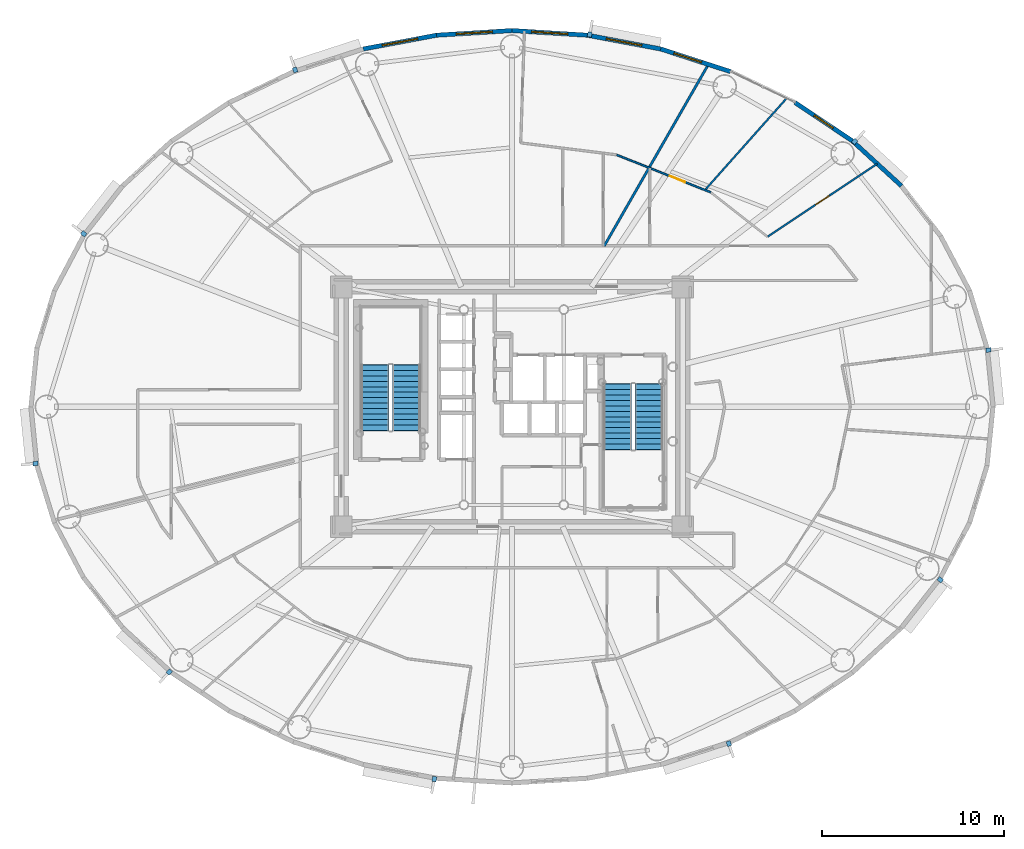
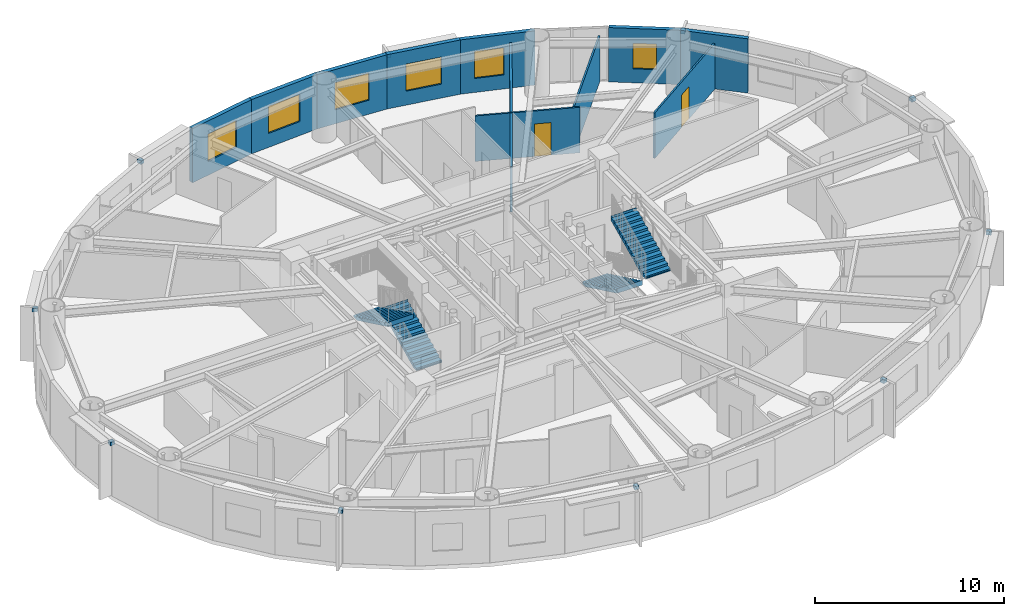
# One storey, part 11 of 17: 11 walls, 10 discrete accessories, 6 windows, 4 stair flights, 2 doors, 8 openings, 2 elements without a shape of their own.
"""IFC4 building model written with IfcOpenShell, lengths in metres."""

from ifc_helpers import new_model, si_unit, direction, frame, frame_2d, origin, origin_2d, place, context, subcontext, project, spatial, polyline, rectangle, outline, extrude, source, transform, mapped, material, layer, layer_set, type_object, element, fill, aggregate, save


model = new_model("IFC4")

# Units and contexts
model_context = context("Model", 3, precision=1e-05, world=origin(), true_north=direction((0.0, 1.0)))
body_context = subcontext(model_context, "Body", "Model", "MODEL_VIEW")
ifc_project = project(units=[si_unit("LENGTHUNIT", "METRE"), si_unit("AREAUNIT", "SQUARE_METRE"), si_unit("VOLUMEUNIT", "CUBIC_METRE"), si_unit("PLANEANGLEUNIT", "RADIAN"), si_unit("MASSUNIT", "GRAM", prefix="KILO")], contexts=[model_context])

# Site, building, storey
site_placement = place(None, origin())
site = spatial("IfcSite", under=ifc_project, at=site_placement, CompositionType="ELEMENT")
building_placement = place(site_placement, origin())
building = spatial("IfcBuilding", under=site, at=building_placement, Name="Linh Dai School and Residence Tower", CompositionType="ELEMENT")
storey_placement = place(building_placement, frame((0.0, 0.0, 197.39990234375)))
storey = spatial("IfcBuildingStorey", under=building, at=storey_placement, Name="L48", CompositionType="ELEMENT", Elevation=197.39990234375)

# Wall
ifc_material_1 = material(Name="Precast Concrete B45 (C35/45)", Category="concrete")
ifc_layer_1 = layer(ifc_material_1, 0.239990234375)
ifc_layer_set_1 = layer_set([ifc_layer_1], Name="Precast Concrete B45 (C35/45)")
wall_type_1 = type_object("IfcWallType", Name="EW-TC-240", PredefinedType="SOLIDWALL", material=ifc_layer_set_1)
wall_1_placement = place(storey_placement, frame((54.73193359375, 41.630615234375, 0.0), z_axis=(0.0, 0.0, 1.0), x_axis=(0.737076565834, -0.675809245349, 0.0)))
element("IfcWall", 1, at=wall_1_placement, inside=storey, type_object=wall_type_1, Name="L48 Terracotta Exterior Wall 05", PredefinedType="SOLIDWALL", context=body_context, shape_type="SweptSolid", body=[
    extrude(rectangle(XDim=3.658203125, YDim=0.239990234375, at=frame_2d((1.8291015625, 0.0))), origin(), (0.0, 0.0, 1.0), 3.5),
])

# Wall, opening, window
wall_2_placement = place(storey_placement, frame((51.5732421875, 43.7431640625, 0.0), z_axis=(0.0, 0.0, 1.0), x_axis=(0.831228998277, -0.555930168657, 0.0)))
wall_2 = element("IfcWall", 2, at=wall_2_placement, inside=storey, type_object=wall_type_1, Name="L48 Terracotta Exterior Wall 06", PredefinedType="SOLIDWALL", context=body_context, shape_type="SweptSolid", body=[
    extrude(rectangle(XDim=3.800048828125, YDim=0.239990234375, at=frame_2d((1.89990234375, 0.0))), origin(), (0.0, 0.0, 1.0), 3.5),
])
opening_1_placement = place(wall_2_placement, frame((1.27490234375, 0.0, 0.89990234375)))
opening_1 = element("IfcOpeningElement", 3, at=opening_1_placement, cuts=wall_2, Name="Opening W3", PredefinedType="OPENING", context=body_context, shape_type="SweptSolid", body=[
    extrude(rectangle(XDim=1.25, YDim=1.64990234375, at=origin_2d()), frame((0.625, 0.1298828125, 0.824951171875), z_axis=(0.0, -1.0, 0.0), x_axis=(1.0, 0.0, 0.0)), (0.0, 0.0, 1.0), 0.260009765625),
])
ifc_material_2 = material(Name="Double Low-E Insulated Glazing", Category="glass")
window_type_1 = type_object("IfcWindowType", Name="WN-RES-1250x1650", PartitioningType="SINGLE_PANEL", PredefinedType="WINDOW", material=ifc_material_2)
shared_shape_1 = source(origin(), body_context, "Body", "SweptSolid", [
    extrude(rectangle(XDim=1.25, YDim=1.64990234375, at=origin_2d()), frame((0.625, 0.030029296875, 0.824951171875), z_axis=(0.0, -1.0, 0.0), x_axis=(1.0, 0.0, 0.0)), (0.0, 0.0, 1.0), 0.06005859375),
])
window_1_placement = place(opening_1_placement, origin())
window_1 = element("IfcWindow", 4, at=window_1_placement, inside=storey, type_object=window_type_1, Name="L48 Dwelling Window U4802-BD3", OverallHeight=1.64990234375, OverallWidth=1.25, PartitioningType="SINGLE_PANEL", PredefinedType="WINDOW", context=body_context, shape_type="MappedRepresentation", body=[
    mapped(shared_shape_1, transform((0.0, 0.0, 0.0), x_axis=(1.0, 0.0, 0.0), y_axis=(0.0, 1.0, 0.0), z_axis=(0.0, 0.0, 1.0), scale=1.0)),
])
fill(opening_1, window_1)

wall_3_placement = place(storey_placement, frame((44.18896484375, 46.689453125, 0.0), z_axis=(0.0, 0.0, 1.0), x_axis=(0.951209870236, -0.30854462038, 0.0)))
wall_3 = element("IfcWall", 5, at=wall_3_placement, inside=storey, type_object=wall_type_1, Name="L48 Terracotta Exterior Wall 08", PredefinedType="SOLIDWALL", context=body_context, shape_type="SweptSolid", body=[
    extrude(rectangle(XDim=4.037841796875, YDim=0.239990234375, at=frame_2d((2.01904296875, 0.0))), origin(), (0.0, 0.0, 1.0), 3.5),
])
opening_2_placement = place(wall_3_placement, frame((0.7568359375, 0.0, 0.89990234375)))
opening_2 = element("IfcOpeningElement", 6, at=opening_2_placement, cuts=wall_3, Name="Opening W2", PredefinedType="OPENING", context=body_context, shape_type="SweptSolid", body=[
    extrude(rectangle(XDim=1.60009765625, YDim=1.75, at=origin_2d()), frame((0.800048828125, 0.1298828125, 0.875), z_axis=(0.0, -1.0, 0.0), x_axis=(1.0, 0.0, 0.0)), (0.0, 0.0, 1.0), 0.260009765625),
])
window_type_2 = type_object("IfcWindowType", Name="WN-RES-1600x1750", PartitioningType="DOUBLE_PANEL_VERTICAL", PredefinedType="WINDOW", material=ifc_material_2)
shared_shape_2 = source(origin(), body_context, "Body", "SweptSolid", [
    extrude(rectangle(XDim=1.60009765625, YDim=1.75, at=origin_2d()), frame((0.800048828125, 0.030029296875, 0.875), z_axis=(0.0, -1.0, 0.0), x_axis=(1.0, 0.0, 0.0)), (0.0, 0.0, 1.0), 0.06005859375),
])
window_2_placement = place(opening_2_placement, origin())
window_2 = element("IfcWindow", 7, at=window_2_placement, inside=storey, type_object=window_type_2, Name="L48 Exterior Window 08.1", OverallHeight=1.75, OverallWidth=1.60009765625, PartitioningType="DOUBLE_PANEL_VERTICAL", PredefinedType="WINDOW", context=body_context, shape_type="MappedRepresentation", body=[
    mapped(shared_shape_2, transform((0.0, 0.0, 0.0), x_axis=(1.0, 0.0, 0.0), y_axis=(0.0, 1.0, 0.0), z_axis=(0.0, 0.0, 1.0), scale=1.0)),
])
fill(opening_2, window_2)

wall_4_placement = place(storey_placement, frame((40.145751953125, 47.449462890625, 0.0), z_axis=(0.0, 0.0, 1.0), x_axis=(0.982788108205, -0.184736391573, 0.0)))
wall_4 = element("IfcWall", 8, at=wall_4_placement, inside=storey, type_object=wall_type_1, Name="L48 Terracotta Exterior Wall 09", PredefinedType="SOLIDWALL", context=body_context, shape_type="SweptSolid", body=[
    extrude(rectangle(XDim=4.114013671875, YDim=0.239990234375, at=frame_2d((2.05712890625, 0.0))), origin(), (0.0, 0.0, 1.0), 3.5),
])
opening_3_placement = place(wall_4_placement, frame((1.056884765625, 0.0, 0.89990234375)))
opening_3 = element("IfcOpeningElement", 9, at=opening_3_placement, cuts=wall_4, Name="Opening W1", PredefinedType="OPENING", context=body_context, shape_type="SweptSolid", body=[
    extrude(rectangle(XDim=2.0, YDim=1.75, at=origin_2d()), frame((1.0, 0.1298828125, 0.875), z_axis=(0.0, -1.0, 0.0), x_axis=(1.0, 0.0, 0.0)), (0.0, 0.0, 1.0), 0.260009765625),
])
window_type_3 = type_object("IfcWindowType", Name="WN-RES-2000x1750", PartitioningType="DOUBLE_PANEL_VERTICAL", PredefinedType="WINDOW", material=ifc_material_2)
shared_shape_3 = source(origin(), body_context, "Body", "SweptSolid", [
    extrude(rectangle(XDim=2.0, YDim=1.75, at=origin_2d()), frame((1.0, 0.030029296875, 0.875), z_axis=(0.0, -1.0, 0.0), x_axis=(1.0, 0.0, 0.0)), (0.0, 0.0, 1.0), 0.06005859375),
])
window_3_placement = place(opening_3_placement, origin())
window_3 = element("IfcWindow", 10, at=window_3_placement, inside=storey, type_object=window_type_3, Name="L48 Exterior Window 09.1", OverallHeight=1.75, OverallWidth=2.0, PartitioningType="DOUBLE_PANEL_VERTICAL", PredefinedType="WINDOW", context=body_context, shape_type="MappedRepresentation", body=[
    mapped(shared_shape_3, transform((0.0, 0.0, 0.0), x_axis=(1.0, 0.0, 0.0), y_axis=(0.0, 1.0, 0.0), z_axis=(0.0, 0.0, 1.0), scale=1.0)),
])
fill(opening_3, window_3)

wall_5_placement = place(storey_placement, frame((36.0, 47.705078125, 0.0), z_axis=(0.0, 0.0, 1.0), x_axis=(0.998104600619, -0.061540281305, 0.0)))
wall_5 = element("IfcWall", 11, at=wall_5_placement, inside=storey, type_object=wall_type_1, Name="L48 Terracotta Exterior Wall 10", PredefinedType="SOLIDWALL", context=body_context, shape_type="SweptSolid", body=[
    extrude(rectangle(XDim=4.153564453125, YDim=0.239990234375, at=frame_2d((2.07666015625, 0.0))), origin(), (0.0, 0.0, 1.0), 3.5),
])
opening_4_placement = place(wall_5_placement, frame((1.076904296875, 0.0, 0.89990234375)))
opening_4 = element("IfcOpeningElement", 12, at=opening_4_placement, cuts=wall_5, Name="Opening W1", PredefinedType="OPENING", context=body_context, shape_type="SweptSolid", body=[
    extrude(rectangle(XDim=2.0, YDim=1.75, at=origin_2d()), frame((1.0, 0.1298828125, 0.875), z_axis=(0.0, -1.0, 0.0), x_axis=(1.0, 0.0, 0.0)), (0.0, 0.0, 1.0), 0.260009765625),
])
window_4_placement = place(opening_4_placement, origin())
window_4 = element("IfcWindow", 13, at=window_4_placement, inside=storey, type_object=window_type_3, Name="L48 Exterior Window 10.1", OverallHeight=1.75, OverallWidth=2.0, PartitioningType="DOUBLE_PANEL_VERTICAL", PredefinedType="WINDOW", context=body_context, shape_type="MappedRepresentation", body=[
    mapped(shared_shape_3, transform((0.0, 0.0, 0.0), x_axis=(1.0, 0.0, 0.0), y_axis=(0.0, 1.0, 0.0), z_axis=(0.0, 0.0, 1.0), scale=1.0)),
])
fill(opening_4, window_4)

wall_6_placement = place(storey_placement, frame((31.854248046875, 47.449462890625, 0.0), z_axis=(0.0, 0.0, 1.0), x_axis=(0.998104600619, 0.061540281305, 0.0)))
wall_6 = element("IfcWall", 14, at=wall_6_placement, inside=storey, type_object=wall_type_1, Name="L48 Terracotta Exterior Wall 11", PredefinedType="SOLIDWALL", context=body_context, shape_type="SweptSolid", body=[
    extrude(rectangle(XDim=4.153564453125, YDim=0.239990234375, at=frame_2d((2.07666015625, 0.0))), origin(), (0.0, 0.0, 1.0), 3.5),
])
opening_5_placement = place(wall_6_placement, frame((1.076904296875, 0.0, 0.89990234375)))
opening_5 = element("IfcOpeningElement", 15, at=opening_5_placement, cuts=wall_6, Name="Opening W1", PredefinedType="OPENING", context=body_context, shape_type="SweptSolid", body=[
    extrude(rectangle(XDim=2.0, YDim=1.75, at=origin_2d()), frame((1.0, 0.1298828125, 0.875), z_axis=(0.0, -1.0, 0.0), x_axis=(1.0, 0.0, 0.0)), (0.0, 0.0, 1.0), 0.260009765625),
])
window_5_placement = place(opening_5_placement, origin())
window_5 = element("IfcWindow", 16, at=window_5_placement, inside=storey, type_object=window_type_3, Name="L48 Exterior Window 11.1", OverallHeight=1.75, OverallWidth=2.0, PartitioningType="DOUBLE_PANEL_VERTICAL", PredefinedType="WINDOW", context=body_context, shape_type="MappedRepresentation", body=[
    mapped(shared_shape_3, transform((0.0, 0.0, 0.0), x_axis=(1.0, 0.0, 0.0), y_axis=(0.0, 1.0, 0.0), z_axis=(0.0, 0.0, 1.0), scale=1.0)),
])
fill(opening_5, window_5)

wall_7_placement = place(storey_placement, frame((27.81103515625, 46.689453125, 0.0), z_axis=(0.0, 0.0, 1.0), x_axis=(0.982788108205, 0.184736391573, 0.0)))
wall_7 = element("IfcWall", 17, at=wall_7_placement, inside=storey, type_object=wall_type_1, Name="L48 Terracotta Exterior Wall 12", PredefinedType="SOLIDWALL", context=body_context, shape_type="SweptSolid", body=[
    extrude(rectangle(XDim=4.114013671875, YDim=0.239990234375, at=frame_2d((2.05712890625, 0.0))), origin(), (0.0, 0.0, 1.0), 3.5),
])
opening_6_placement = place(wall_7_placement, frame((1.05712890625, 0.0, 0.89990234375)))
opening_6 = element("IfcOpeningElement", 18, at=opening_6_placement, cuts=wall_7, Name="Opening W1", PredefinedType="OPENING", context=body_context, shape_type="SweptSolid", body=[
    extrude(rectangle(XDim=2.0, YDim=1.75, at=origin_2d()), frame((1.0, 0.1298828125, 0.875), z_axis=(0.0, -1.0, 0.0), x_axis=(1.0, 0.0, 0.0)), (0.0, 0.0, 1.0), 0.260009765625),
])
window_6_placement = place(opening_6_placement, origin())
window_6 = element("IfcWindow", 19, at=window_6_placement, inside=storey, type_object=window_type_3, Name="L48 Exterior Window 12.1", OverallHeight=1.75, OverallWidth=2.0, PartitioningType="DOUBLE_PANEL_VERTICAL", PredefinedType="WINDOW", context=body_context, shape_type="MappedRepresentation", body=[
    mapped(shared_shape_3, transform((0.0, 0.0, 0.0), x_axis=(1.0, 0.0, 0.0), y_axis=(0.0, 1.0, 0.0), z_axis=(0.0, 0.0, 1.0), scale=1.0)),
])
fill(opening_6, window_6)

# Wall
ifc_material_3 = material(Name="Autoclaved Aerated Concrete Blockwork", Category="masonry")
ifc_layer_2 = layer(ifc_material_3, 0.135009765625)
ifc_layer_set_2 = layer_set([ifc_layer_2], Name="Autoclaved Aerated Concrete Blockwork")
wall_type_2 = type_object("IfcWallType", Name="IW-CORR-135-EI90", PredefinedType="PARTITIONING", material=ifc_layer_set_2)
wall_8_placement = place(storey_placement, frame((41.076171875, 35.85009765625, 0.0), z_axis=(0.0, 0.0, 1.0), x_axis=(0.497557605347, 0.867430936364, 0.0)))
element("IfcWall", 20, at=wall_8_placement, inside=storey, type_object=wall_type_2, Name="L48 Interior Partition Wall 066", PredefinedType="PARTITIONING", context=body_context, shape_type="SweptSolid", body=[
    extrude(rectangle(XDim=11.522216796875, YDim=0.135009765625, at=frame_2d((5.76123046875, 0.0))), origin(), (0.0, 0.0, 1.0), 2.93505859375),
])

# Wall, opening, door
ifc_material_4 = material(Name="Gypsum Plasterboard Acoustic Stud Partition", Category="masonry")
ifc_layer_3 = layer(ifc_material_4, 0.10009765625)
ifc_layer_set_3 = layer_set([ifc_layer_3], Name="Gypsum Plasterboard Acoustic Stud Partition")
wall_type_3 = type_object("IfcWallType", Name="IW-UNIT-100", PredefinedType="PARTITIONING", material=ifc_layer_set_3)
wall_9_placement = place(storey_placement, frame((41.75390625, 40.867431640625, 0.0), z_axis=(0.0, 0.0, 1.0), x_axis=(0.928792710591, -0.370599650233, 0.0)))
wall_9 = element("IfcWall", 21, at=wall_9_placement, inside=storey, type_object=wall_type_3, Name="L48 Interior Partition Wall 069", PredefinedType="PARTITIONING", context=body_context, shape_type="SweptSolid", body=[
    extrude(rectangle(XDim=5.58837890625, YDim=0.10009765625, at=frame_2d((2.794189453125, 0.0))), origin(), (0.0, 0.0, 1.0), 2.93505859375),
])
opening_7_placement = place(wall_9_placement, frame((3.156005859375, 0.0, 0.0)))
opening_7 = element("IfcOpeningElement", 22, at=opening_7_placement, cuts=wall_9, Name="Opening D05", PredefinedType="OPENING", context=body_context, shape_type="SweptSolid", body=[
    extrude(rectangle(XDim=0.89990234375, YDim=2.10009765625, at=origin_2d()), frame((0.449951171875, 0.06005859375, 1.050048828125), z_axis=(0.0, -1.0, 0.0), x_axis=(1.0, 0.0, 0.0)), (0.0, 0.0, 1.0), 0.1201171875),
])
ifc_material_5 = material(Name="Engineered Timber Internal Door", Category="wood")
door_type = type_object("IfcDoorType", Name="DR-INT-900x2100", OperationType="NOTDEFINED", PredefinedType="DOOR", material=ifc_material_5)
shared_shape_4 = source(origin(), body_context, "Body", "SweptSolid", [
    extrude(rectangle(XDim=0.89990234375, YDim=2.10009765625, at=origin_2d()), frame((0.449951171875, 0.02490234375, 1.050048828125), z_axis=(0.0, -1.0, 0.0), x_axis=(1.0, 0.0, 0.0)), (0.0, 0.0, 1.0), 0.050048828125),
])
door_1_placement = place(opening_7_placement, origin())
door_1 = element("IfcDoor", 23, at=door_1_placement, inside=storey, type_object=door_type, Name="L48 Apartment U4802 Study Door", OperationType="SINGLE_SWING_LEFT", OverallHeight=2.10009765625, OverallWidth=0.89990234375, PredefinedType="DOOR", context=body_context, shape_type="MappedRepresentation", body=[
    mapped(shared_shape_4, transform((0.0, 0.0, 0.0), x_axis=(1.0, 0.0, 0.0), y_axis=(0.0, 1.0, 0.0), z_axis=(0.0, 0.0, 1.0), scale=1.0)),
])
fill(opening_7, door_1)

# Wall
wall_10_placement = place(storey_placement, frame((46.617431640625, 38.9267578125, 0.0), z_axis=(0.0, 0.0, 1.0), x_axis=(0.664908846083, 0.746924511849, 0.0)))
element("IfcWall", 24, at=wall_10_placement, inside=storey, type_object=wall_type_3, Name="L48 Interior Partition Wall 076", PredefinedType="PARTITIONING", context=body_context, shape_type="SweptSolid", body=[
    extrude(rectangle(XDim=6.754150390625, YDim=0.10009765625, at=frame_2d((3.376953125, 0.0))), origin(), (0.0, 0.0, 1.0), 2.93505859375),
])

# Wall, opening, door
wall_11_placement = place(storey_placement, frame((50.060302734375, 36.3564453125, 0.0), z_axis=(0.0, 0.0, 1.0), x_axis=(0.832520763353, 0.553993843455, 0.0)))
wall_11 = element("IfcWall", 25, at=wall_11_placement, inside=storey, type_object=wall_type_3, Name="L48 Interior Partition Wall 080", PredefinedType="PARTITIONING", context=body_context, shape_type="SweptSolid", body=[
    extrude(rectangle(XDim=7.260498046875, YDim=0.10009765625, at=frame_2d((3.63037109375, 0.0))), origin(), (0.0, 0.0, 1.0), 2.93505859375),
])
opening_8_placement = place(wall_11_placement, frame((3.18017578125, 0.0, 0.0)))
opening_8 = element("IfcOpeningElement", 26, at=opening_8_placement, cuts=wall_11, Name="Opening D05", PredefinedType="OPENING", context=body_context, shape_type="SweptSolid", body=[
    extrude(rectangle(XDim=0.89990234375, YDim=2.10009765625, at=origin_2d()), frame((0.449951171875, 0.06005859375, 1.050048828125), z_axis=(0.0, -1.0, 0.0), x_axis=(1.0, 0.0, 0.0)), (0.0, 0.0, 1.0), 0.1201171875),
])
door_2_placement = place(opening_8_placement, origin())
door_2 = element("IfcDoor", 27, at=door_2_placement, inside=storey, type_object=door_type, Name="L48 Apartment U4802 Principal Bedroom 3 Door", OperationType="SINGLE_SWING_RIGHT", OverallHeight=2.10009765625, OverallWidth=0.89990234375, PredefinedType="DOOR", context=body_context, shape_type="MappedRepresentation", body=[
    mapped(shared_shape_4, transform((0.0, 0.0, 0.0), x_axis=(1.0, 0.0, 0.0), y_axis=(0.0, 1.0, 0.0), z_axis=(0.0, 0.0, 1.0), scale=1.0)),
])
fill(opening_8, door_2)

# Stair, stair flights
ifc_material_6 = material(Name="Concrete B45 (C35/45)", Category="concrete")
stair_type = type_object("IfcStairType", Name="ST-DOG-1550-R1442", PredefinedType="HALF_TURN_STAIR", material=ifc_material_6)
stair_1_placement = place(storey_placement, origin())
stair_1 = element("IfcStair", 28, at=stair_1_placement, inside=storey, type_object=stair_type, Name="L48 Core Smokeproof Exit Stair ST1", PredefinedType="HALF_TURN_STAIR")
stair_flight_type = type_object("IfcStairFlightType", Name="STF-STR-1550-R1442", PredefinedType="STRAIGHT", material=ifc_material_6)
shared_shape_5 = source(origin(), body_context, "Body", "SweptSolid", [
    extrude(outline(polyline([(-0.02490234375, 0.0), (-0.02490234375, 0.06005859375), (0.0, 0.06005859375), (0.0, 0.144287109375), (0.300048828125, 0.144287109375), (0.300048828125, 0.28857421875), (0.60009765625, 0.28857421875), (0.60009765625, 0.4326171875), (0.89990234375, 0.4326171875), (0.89990234375, 0.576904296875), (1.199951171875, 0.576904296875), (1.199951171875, 0.72119140625), (1.5, 0.72119140625), (1.5, 0.865478515625), (1.800048828125, 0.865478515625), (1.800048828125, 1.009521484375), (2.10009765625, 1.009521484375), (2.10009765625, 1.15380859375), (2.39990234375, 1.15380859375), (2.39990234375, 1.298095703125), (2.699951171875, 1.298095703125), (2.699951171875, 1.4423828125), (3.0, 1.4423828125), (3.0, 1.58642578125), (3.300048828125, 1.58642578125), (3.300048828125, 1.730712890625), (3.60009765625, 1.730712890625), (3.60009765625, 1.875), (3.625, 1.875), (3.625, 1.564453125), (3.60009765625, 1.564453125), (0.345947265625, 0.0), (-0.02490234375, 0.0)])), frame((0.0, 0.77490234375, 0.0), z_axis=(0.0, -1.0, 0.0), x_axis=(1.0, 0.0, 0.0)), (0.0, 0.0, 1.0), 1.550048828125),
])
stair_flight_1_placement = place(storey_placement, frame((30.205078125, 25.699951171875, 0.0), z_axis=(0.0, 0.0, 1.0), x_axis=(0.0, 1.0, 0.0)))
stair_flight_1 = element("IfcStairFlight", 29, at=stair_flight_1_placement, type_object=stair_flight_type, Name="ST1 flight 1", NumberOfRisers=13, NumberOfTreads=12, PredefinedType="STRAIGHT", RiserHeight=0.144230769, TreadLength=0.3, context=body_context, shape_type="MappedRepresentation", body=[
    mapped(shared_shape_5, transform((0.0, 0.0, 0.0), x_axis=(1.0, 0.0, 0.0), y_axis=(0.0, 1.0, 0.0), z_axis=(0.0, 0.0, 1.0), scale=1.0)),
])
stair_flight_2_placement = place(storey_placement, frame((28.455078125, 29.300048828125, 1.875), z_axis=(0.0, 0.0, 1.0), x_axis=(0.0, -1.0, 0.0)))
stair_flight_2 = element("IfcStairFlight", 30, at=stair_flight_2_placement, type_object=stair_flight_type, Name="ST1 flight 2", NumberOfRisers=13, NumberOfTreads=12, PredefinedType="STRAIGHT", RiserHeight=0.144230769, TreadLength=0.3, context=body_context, shape_type="MappedRepresentation", body=[
    mapped(shared_shape_5, transform((0.0, 0.0, 0.0), x_axis=(1.0, 0.0, 0.0), y_axis=(0.0, 1.0, 0.0), z_axis=(0.0, 0.0, 1.0), scale=1.0)),
])
aggregate(stair_1, [stair_flight_1, stair_flight_2])

stair_2_placement = place(storey_placement, origin())
stair_2 = element("IfcStair", 31, at=stair_2_placement, inside=storey, type_object=stair_type, Name="L48 Core Smokeproof Exit Stair ST2", PredefinedType="HALF_TURN_STAIR")
stair_flight_3_placement = place(storey_placement, frame((41.794921875, 28.25, 0.0), z_axis=(0.0, 0.0, 1.0), x_axis=(0.0, -1.0, 0.0)))
stair_flight_3 = element("IfcStairFlight", 32, at=stair_flight_3_placement, type_object=stair_flight_type, Name="ST2 flight 1", NumberOfRisers=13, NumberOfTreads=12, PredefinedType="STRAIGHT", RiserHeight=0.144230769, TreadLength=0.3, context=body_context, shape_type="MappedRepresentation", body=[
    mapped(shared_shape_5, transform((0.0, 0.0, 0.0), x_axis=(1.0, 0.0, 0.0), y_axis=(0.0, 1.0, 0.0), z_axis=(0.0, 0.0, 1.0), scale=1.0)),
])
stair_flight_4_placement = place(storey_placement, frame((43.544921875, 24.64990234375, 1.875), z_axis=(0.0, 0.0, 1.0), x_axis=(0.0, 1.0, 0.0)))
stair_flight_4 = element("IfcStairFlight", 33, at=stair_flight_4_placement, type_object=stair_flight_type, Name="ST2 flight 2", NumberOfRisers=13, NumberOfTreads=12, PredefinedType="STRAIGHT", RiserHeight=0.144230769, TreadLength=0.3, context=body_context, shape_type="MappedRepresentation", body=[
    mapped(shared_shape_5, transform((0.0, 0.0, 0.0), x_axis=(1.0, 0.0, 0.0), y_axis=(0.0, 1.0, 0.0), z_axis=(0.0, 0.0, 1.0), scale=1.0)),
])
aggregate(stair_2, [stair_flight_3, stair_flight_4])

# Discrete accessories
ifc_material_7 = material(Name="Structural Steel S355JR", Category="steel")
discrete_accessory_type = type_object("IfcDiscreteAccessoryType", Name="ACC-BRK-S355", PredefinedType="BRACKET", material=ifc_material_7)
shared_shape_6 = source(origin(), body_context, "Body", "SweptSolid", [
    extrude(rectangle(XDim=0.280029296875, YDim=0.239990234375, at=origin_2d()), origin(), (0.0, 0.0, 1.0), 0.219970703125),
])
for number, where, z_axis, x_axis, name in (
    (34, (62.2216796875, 30.120361328125, 3.25), (0.0, 0.0, 1.0), (0.994987256586, 0.100001796141, 0.0), "L48 Facade Frame Anchor Bracket 01"),
    (35, (54.861083984375, 41.59375, 3.25), (0.0, 0.0, 1.0), (0.67580001435, 0.737085029426, 0.0), "L48 Facade Frame Anchor Bracket 05"),
    (36, (40.27490234375, 47.486328125, 3.25), (0.0, 0.0, 1.0), (0.184762540184, 0.982783192645, 0.0), "L48 Facade Frame Anchor Bracket 09"),
    (37, (24.06591796875, 45.53759765625, 3.25), (0.0, 0.0, 1.0), (-0.308535707031, 0.951212761419, 0.0), "L48 Facade Frame Anchor Bracket 13"),
    (38, (12.4306640625, 36.52001953125, 3.25), (0.0, 0.0, 1.0), (-0.787522158319, 0.616286337798, 0.0), "L48 Facade Frame Anchor Bracket 17"),
    (39, (9.7783203125, 23.879638671875, 3.25), (0.0, 0.0, 1.0), (-0.994987256586, -0.100001796141, 0.0), "L48 Facade Frame Anchor Bracket 21"),
    (40, (17.138916015625, 12.40625, 3.25), (0.0, 0.0, 1.0), (-0.67580001435, -0.737085029426, 0.0), "L48 Facade Frame Anchor Bracket 25"),
    (41, (31.72509765625, 6.513671875, 3.25), (0.0, 0.0, 1.0), (-0.184762540184, -0.982783192645, 0.0), "L48 Facade Frame Anchor Bracket 29"),
    (42, (47.93408203125, 8.46240234375, 3.25), (0.0, 0.0, 1.0), (0.308535707031, -0.951212761419, 0.0), "L48 Facade Frame Anchor Bracket 33"),
    (43, (59.5693359375, 17.47998046875, 3.25), (0.0, 0.0, 1.0), (0.787522158319, -0.616286337798, 0.0), "L48 Facade Frame Anchor Bracket 37"),
):
    element("IfcDiscreteAccessory", number, at=place(storey_placement, frame(where, z_axis=z_axis, x_axis=x_axis)), inside=storey, type_object=discrete_accessory_type, Name=name, PredefinedType="BRACKET", context=body_context, shape_type="MappedRepresentation", body=[
        mapped(shared_shape_6, transform((0.0, 0.0, 0.0), x_axis=(1.0, 0.0, 0.0), y_axis=(0.0, 1.0, 0.0), z_axis=(0.0, 0.0, 1.0), scale=1.0)),
    ])

save(model, "model.ifc")
